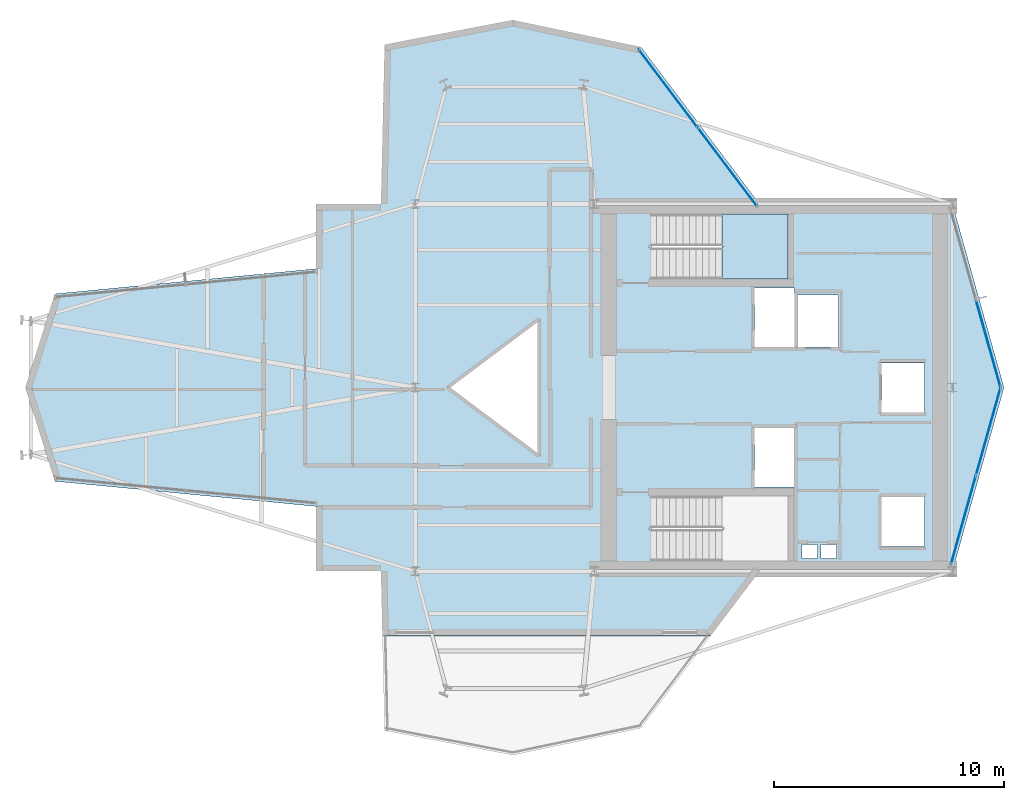
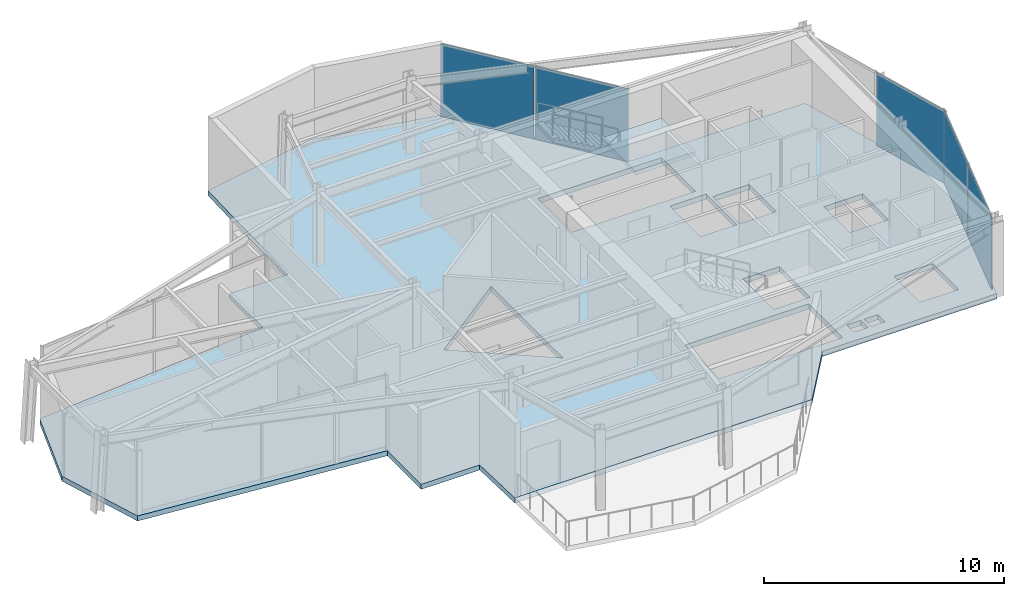
# One storey, part 16 of 21: 5 plates, 2 slabs, 4 elements without a shape of their own.
"""IFC4 building model written with IfcOpenShell, lengths in metres."""

from ifc_helpers import new_model, si_unit, direction, frame, origin, origin_2d, place, context, subcontext, project, spatial, polyline, rectangle, outline, extrude, material, layer, layer_set, type_object, element, aggregate, save


model = new_model("IFC4")

# Units and contexts
model_context = context("Model", 3, precision=1e-05, world=origin(), true_north=direction((0.0, 1.0)))
body_context = subcontext(model_context, "Body", "Model", "MODEL_VIEW")
ifc_project = project(units=[si_unit("LENGTHUNIT", "METRE"), si_unit("AREAUNIT", "SQUARE_METRE"), si_unit("VOLUMEUNIT", "CUBIC_METRE"), si_unit("PLANEANGLEUNIT", "RADIAN"), si_unit("MASSUNIT", "GRAM", prefix="KILO")], contexts=[model_context])

# Site, building, storey
site_placement = place(None, origin())
site = spatial("IfcSite", under=ifc_project, at=site_placement, CompositionType="ELEMENT")
building_placement = place(site_placement, origin())
building = spatial("IfcBuilding", under=site, at=building_placement, Name="Veymaron Broadcast Tower", CompositionType="ELEMENT")
storey_placement = place(building_placement, frame((0.0, 0.0, 240.449951171875)))
storey = spatial("IfcBuildingStorey", under=building, at=storey_placement, Name="L56", CompositionType="ELEMENT", Elevation=240.449951171875)

# Curtain wall, plates
ifc_material_1 = material(Name="Anodised aluminium AA 6063-T6 and laminated low-E dark glass", Category="aluminium")
ifc_layer_1 = layer(ifc_material_1, 0.179931640625)
ifc_layer_set_1 = layer_set([ifc_layer_1], Name="Anodised aluminium AA 6063-T6 and laminated low-E dark glass")
curtain_wall_type = type_object("IfcCurtainWallType", Name="CW-SYS-05", PredefinedType="NOTDEFINED", material=ifc_layer_set_1)
curtain_wall_1_placement = place(storey_placement, origin())
curtain_wall_1 = element("IfcCurtainWall", 1, at=curtain_wall_1_placement, inside=storey, type_object=curtain_wall_type, Name="L56 dark-glass curtain wall CW-L56-E4-1", PredefinedType="NOTDEFINED")
ifc_material_2 = material(Name="Double-silver solar-control dark glass IGU 32 mm", Category="glass")
ifc_layer_2 = layer(ifc_material_2, 0.031982421875)
ifc_layer_set_2 = layer_set([ifc_layer_2], Name="Double-silver solar-control dark glass IGU 32 mm")
plate_type = type_object("IfcPlateType", Name="CW-PNL-02", PredefinedType="CURTAIN_PANEL", material=ifc_layer_set_2)
plate_1_placement = place(storey_placement, frame((55.077880859375, 18.2197265625, 0.0400390625), z_axis=(0.0, 0.0, 1.0), x_axis=(0.270415617443, 0.962743680241, 0.0)))
plate_1 = element("IfcPlate", 2, at=plate_1_placement, type_object=plate_type, Name="CW-L56-E4-1 unitised curtain panel 0", PredefinedType="CURTAIN_PANEL", context=body_context, shape_type="SweptSolid", body=[
    extrude(rectangle(XDim=3.968994140625, YDim=0.031982421875, at=origin_2d()), origin(), (0.0, 0.0, 1.0), 3.7099609375),
])
plate_2_placement = place(storey_placement, frame((56.16748046875, 22.098388671875, 0.0400390625), z_axis=(0.0, 0.0, 1.0), x_axis=(0.270415617443, 0.962743680241, 0.0)))
plate_2 = element("IfcPlate", 3, at=plate_2_placement, type_object=plate_type, Name="CW-L56-E4-1 unitised curtain panel 1", PredefinedType="CURTAIN_PANEL", context=body_context, shape_type="SweptSolid", body=[
    extrude(rectangle(XDim=3.968994140625, YDim=0.031982421875, at=origin_2d()), origin(), (0.0, 0.0, 1.0), 3.7099609375),
])
aggregate(curtain_wall_1, [plate_1, plate_2])

# Curtain wall, plate
curtain_wall_2_placement = place(storey_placement, origin())
curtain_wall_2 = element("IfcCurtainWall", 4, at=curtain_wall_2_placement, inside=storey, type_object=curtain_wall_type, Name="L56 dark-glass curtain wall CW-L56-E5-1", PredefinedType="NOTDEFINED")
plate_3_placement = place(storey_placement, frame((56.16748046875, 25.901611328125, 0.0400390625), z_axis=(0.0, 0.0, 1.0), x_axis=(-0.270415617443, 0.962743680241, 0.0)))
plate_3 = element("IfcPlate", 5, at=plate_3_placement, type_object=plate_type, Name="CW-L56-E5-1 unitised curtain panel 0", PredefinedType="CURTAIN_PANEL", context=body_context, shape_type="SweptSolid", body=[
    extrude(rectangle(XDim=3.968994140625, YDim=0.031982421875, at=origin_2d()), origin(), (0.0, 0.0, 1.0), 3.7099609375),
])
aggregate(curtain_wall_2, [plate_3])

# Curtain wall, plates
curtain_wall_3_placement = place(storey_placement, origin())
curtain_wall_3 = element("IfcCurtainWall", 6, at=curtain_wall_3_placement, inside=storey, type_object=curtain_wall_type, Name="L56 dark-glass curtain wall CW-L56-E7-1", PredefinedType="NOTDEFINED")
plate_4_placement = place(storey_placement, frame((44.793701171875, 33.6240234375, 0.0400390625), z_axis=(0.0, 0.0, 1.0), x_axis=(-0.602651022168, 0.798004853043, 0.0)))
plate_4 = element("IfcPlate", 7, at=plate_4_placement, type_object=plate_type, Name="CW-L56-E7-1 unitised curtain panel 0", PredefinedType="CURTAIN_PANEL", context=body_context, shape_type="SweptSolid", body=[
    extrude(rectangle(XDim=4.221923828125, YDim=0.031982421875, at=origin_2d()), origin(), (0.0, 0.0, 1.0), 3.7099609375),
])
plate_5_placement = place(storey_placement, frame((42.21337890625, 37.041015625, 0.0400390625), z_axis=(0.0, 0.0, 1.0), x_axis=(-0.602651022168, 0.798004853043, 0.0)))
plate_5 = element("IfcPlate", 8, at=plate_5_placement, type_object=plate_type, Name="CW-L56-E7-1 unitised curtain panel 1", PredefinedType="CURTAIN_PANEL", context=body_context, shape_type="SweptSolid", body=[
    extrude(rectangle(XDim=4.221923828125, YDim=0.031982421875, at=origin_2d()), origin(), (0.0, 0.0, 1.0), 3.7099609375),
])
aggregate(curtain_wall_3, [plate_4, plate_5])

# Slab
ifc_material_3 = material(Name="Concrete C40/50", Category="concrete")
ifc_layer_3 = layer(ifc_material_3, 0.260009765625)
ifc_layer_set_3 = layer_set([ifc_layer_3], Name="Concrete C40/50")
slab_type_1 = type_object("IfcSlabType", Name="SLAB-FS5", PredefinedType="FLOOR", material=ifc_layer_set_3)
slab_1_placement = place(storey_placement, frame((0.0, 0.0, -0.260009765625)))
element("IfcSlab", 9, at=slab_1_placement, inside=storey, type_object=slab_type_1, Name="L56 structural floor slab", PredefinedType="FLOOR", context=body_context, shape_type="SweptSolid", body=[
    extrude(outline(polyline([(29.771484375, 13.18896484375), (44.072998046875, 13.18896484375), (46.19580078125, 16.0), (54.60009765625, 16.0), (56.846923828125, 24.0), (54.60009765625, 32.0), (46.19580078125, 32.0), (41.03466796875, 38.833984375), (35.450927734375, 40.010986328125), (29.8671875, 38.94091796875), (29.70654296875, 32.0), (26.887939453125, 32.0), (26.887939453125, 29.176513671875), (15.5, 28.080322265625), (14.216064453125, 24.0), (15.5, 19.919677734375), (26.887939453125, 18.823486328125), (26.887939453125, 16.0), (29.70654296875, 16.0), (29.771484375, 13.18896484375)]), holes=[polyline([(45.969970703125, 28.330078125), (47.72998046875, 28.330078125), (47.72998046875, 25.77001953125), (45.969970703125, 25.77001953125), (45.969970703125, 28.330078125)]), polyline([(45.969970703125, 22.22998046875), (47.72998046875, 22.22998046875), (47.72998046875, 19.669921875), (45.969970703125, 19.669921875), (45.969970703125, 22.22998046875)]), polyline([(47.8701171875, 28.030029296875), (49.6298828125, 28.030029296875), (49.6298828125, 25.77001953125), (47.8701171875, 25.77001953125), (47.8701171875, 28.030029296875)]), polyline([(51.52001953125, 25.080078125), (53.3798828125, 25.080078125), (53.3798828125, 22.919921875), (51.52001953125, 22.919921875), (51.52001953125, 25.080078125)]), polyline([(51.52001953125, 19.22998046875), (53.3798828125, 19.22998046875), (53.3798828125, 17.070068359375), (51.52001953125, 17.070068359375), (51.52001953125, 19.22998046875)]), polyline([(48.050048828125, 17.159912109375), (48.719970703125, 17.159912109375), (48.719970703125, 16.56005859375), (48.050048828125, 16.56005859375), (48.050048828125, 17.159912109375)]), polyline([(48.8798828125, 17.159912109375), (49.550048828125, 17.159912109375), (49.550048828125, 16.56005859375), (48.8798828125, 16.56005859375), (48.8798828125, 17.159912109375)]), polyline([(36.60009765625, 27.0), (36.60009765625, 21.0), (32.60009765625, 24.0), (36.60009765625, 27.0)]), polyline([(41.489990234375, 31.550048828125), (47.43994140625, 31.550048828125), (47.43994140625, 28.72998046875), (41.489990234375, 28.72998046875), (41.489990234375, 31.550048828125)]), polyline([(41.489990234375, 19.27001953125), (47.43994140625, 19.27001953125), (47.43994140625, 16.449951171875), (41.489990234375, 16.449951171875), (41.489990234375, 19.27001953125)])]), origin(), (0.0, 0.0, 1.0), 0.260009765625),
])

# Stair, slab
ifc_material_4 = material(Name="Concrete C50/60", Category="concrete")
stair_type = type_object("IfcStairType", Name="STAIR-CORE-1", PredefinedType="HALF_TURN_STAIR", material=ifc_material_4)
stair_placement = place(storey_placement, origin())
stair = element("IfcStair", 10, at=stair_placement, inside=storey, type_object=stair_type, Name="L56 North protected dog-leg exit stair ST1", PredefinedType="HALF_TURN_STAIR")
ifc_layer_4 = layer(ifc_material_4, 0.199951171875)
ifc_layer_set_4 = layer_set([ifc_layer_4], Name="Concrete C50/60")
slab_type_2 = type_object("IfcSlabType", Name="SLAB-STAIR-LDG", PredefinedType="LANDING", material=ifc_layer_set_4)
slab_2_placement = place(storey_placement, frame((0.0, 0.0, 1.824951171875)))
slab_2 = element("IfcSlab", 11, at=slab_2_placement, type_object=slab_type_2, Name="ST1 landing 1", PredefinedType="LANDING", context=body_context, shape_type="SweptSolid", body=[
    extrude(outline(polyline([(44.56494140625, 28.72998046875), (47.43994140625, 28.72998046875), (47.43994140625, 31.550048828125), (44.56494140625, 31.550048828125), (44.56494140625, 28.72998046875)])), origin(), (0.0, 0.0, 1.0), 0.2001953125),
])
aggregate(stair, [slab_2])

save(model, "model.ifc")
